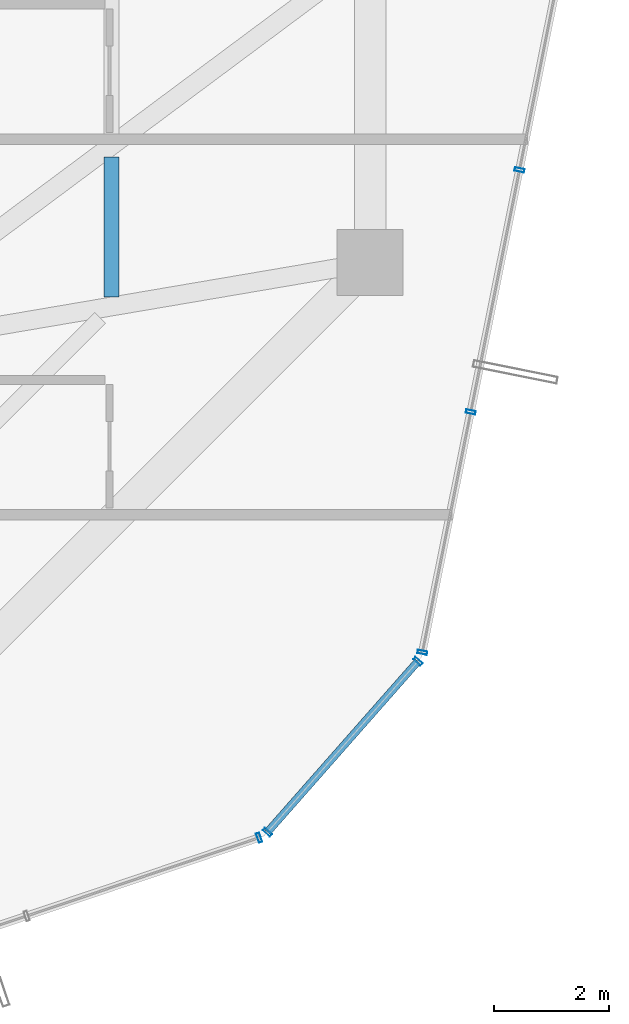
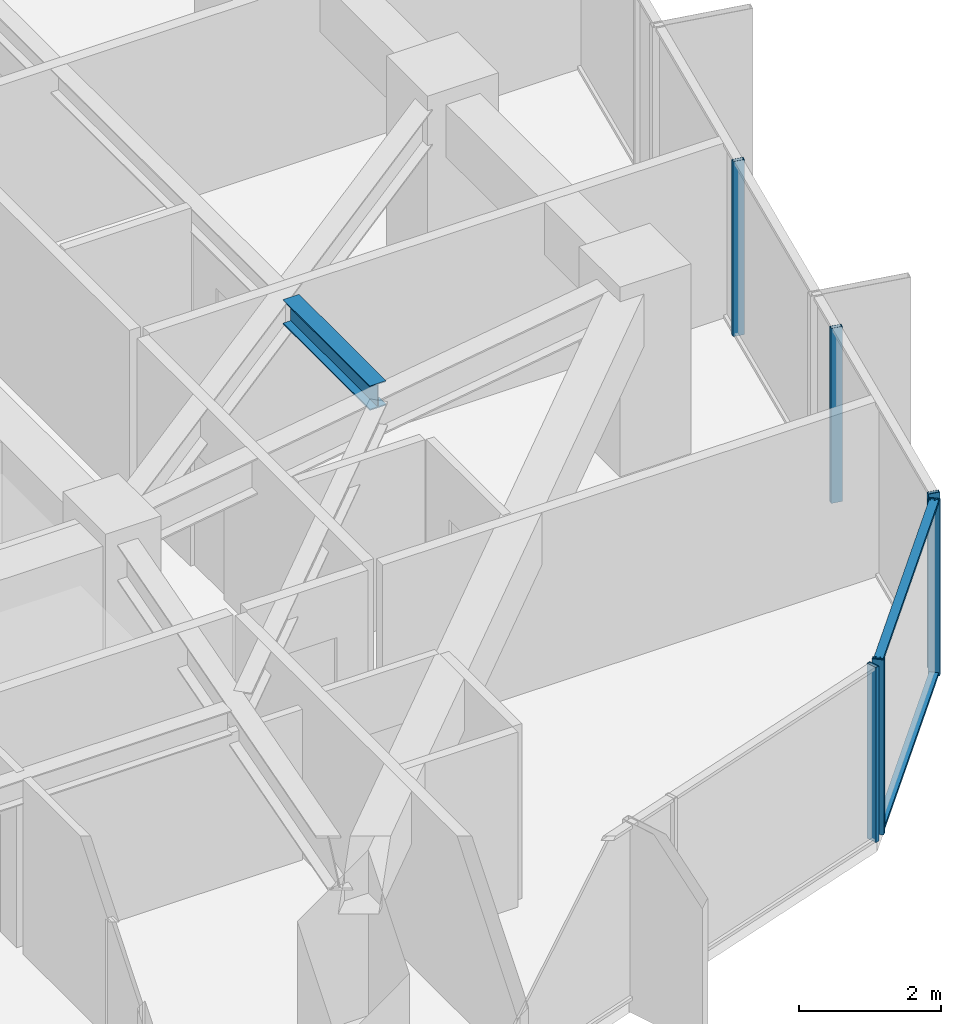
# One storey, part 17 of 32: 8 members, 1 beam, 3 elements without a shape of their own.
"""IFC4 building model written with IfcOpenShell, lengths in metres."""

from ifc_helpers import new_model, si_unit, direction, frame, origin, origin_2d, place, context, subcontext, project, spatial, hollow_rectangle, i_section, extrude, source, transform, mapped, material, layer, layer_set, material_profile, profile_set, type_object, element, aggregate, save


model = new_model("IFC4")

# Units and contexts
model_context = context("Model", 3, precision=1e-05, world=origin(), true_north=direction((0.0, 1.0)))
body_context = subcontext(model_context, "Body", "Model", "MODEL_VIEW")
ifc_project = project(units=[si_unit("LENGTHUNIT", "METRE"), si_unit("AREAUNIT", "SQUARE_METRE"), si_unit("VOLUMEUNIT", "CUBIC_METRE"), si_unit("PLANEANGLEUNIT", "RADIAN"), si_unit("MASSUNIT", "GRAM", prefix="KILO")], contexts=[model_context])

# Site, building, storey
site_placement = place(None, origin())
site = spatial("IfcSite", under=ifc_project, at=site_placement, CompositionType="ELEMENT")
building_placement = place(site_placement, origin())
building = spatial("IfcBuilding", under=site, at=building_placement, Name="Veraguas Prism Commons", CompositionType="ELEMENT")
storey_placement = place(building_placement, frame((0.0, 0.0, 89.449951171875)))
storey = spatial("IfcBuildingStorey", under=building, at=storey_placement, Name="L24", CompositionType="ELEMENT", Elevation=89.449951171875)

# Beam
ifc_material_1 = material(Name="Steel ASTM A992 Grade 50", Category="steel")
ifc_material_profile_1 = material_profile(ifc_material_1, i_section(OverallWidth=0.260986328125, OverallDepth=0.419921875, WebThickness=0.01171875, FlangeThickness=0.019287109375, at=origin_2d()), Name="W410X114")
ifc_profile_set_1 = profile_set([ifc_material_profile_1], Name="Steel ASTM A992 Grade 50")
beam_type = type_object("IfcBeamType", Name="Lower Floor Joist W410x114", PredefinedType="JOIST", material=ifc_profile_set_1)
beam_placement = place(storey_placement, frame((35.68798828125, 17.996337890625, 2.7900390625), z_axis=(0.0, 1.0, 0.0), x_axis=(-1.0, 0.0, 0.0)))
element("IfcBeam", 1, at=beam_placement, inside=storey, type_object=beam_type, Name="Composite Floor Joist L24-JS01", PredefinedType="JOIST", context=body_context, shape_type="SweptSolid", body=[
    extrude(i_section(OverallWidth=0.260986328125, OverallDepth=0.419921875, WebThickness=0.01171875, FlangeThickness=0.019287109375, at=origin_2d()), origin(), (0.0, 0.0, 1.0), 2.441650390625),
])

# Curtain wall, member
ifc_material_2 = material(Name="Anodised aluminium EN AW-6063 T6", Category="aluminium")
ifc_layer = layer(ifc_material_2, 0.169921875, Name="Unitised Flush Curtain Wall Zone 2", Category="aluminium")
ifc_layer_set = layer_set([ifc_layer], Name="Anodised aluminium EN AW-6063 T6")
curtain_wall_type = type_object("IfcCurtainWallType", Name="Unitised Flush Curtain Wall Zone 2", PredefinedType="NOTDEFINED", material=ifc_layer_set)
curtain_wall_1_placement = place(storey_placement, origin())
curtain_wall_1 = element("IfcCurtainWall", 2, at=curtain_wall_1_placement, inside=storey, type_object=curtain_wall_type, Name="Tower Facade Curtain Wall L24-F5", PredefinedType="NOTDEFINED")
ifc_material_profile_2 = material_profile(ifc_material_2, hollow_rectangle(XDim=0.06005859375, YDim=0.169921875, WallThickness=0.00390625, at=origin_2d()), Name="AL60X170X4")
ifc_profile_set_2 = profile_set([ifc_material_profile_2], Name="Anodised aluminium EN AW-6063 T6")
member_type_1 = type_object("IfcMemberType", Name="Curtain Wall Mullion Lower AL 60x170x4", PredefinedType="MULLION", material=ifc_profile_set_2)
shared_shape_1 = source(origin(), body_context, "Body", "SweptSolid", [
    extrude(hollow_rectangle(XDim=0.06005859375, YDim=0.169921875, WallThickness=0.00390625, at=origin_2d()), origin(), (0.0, 0.0, 1.0), 3.0),
])
member_1_placement = place(storey_placement, frame((38.262451171875, 8.563232421875, 0.0), z_axis=(0.0, 0.0, 1.0), x_axis=(0.94765924351, 0.319283507543, 0.0)))
member_1 = element("IfcMember", 3, at=member_1_placement, type_object=member_type_1, Name="CW-Z2 Mullion 5", PredefinedType="MULLION", context=body_context, shape_type="MappedRepresentation", body=[
    mapped(shared_shape_1, transform((0.0, 0.0, 0.0), scale=1.0)),
])
aggregate(curtain_wall_1, [member_1])

# Curtain wall, members
curtain_wall_2_placement = place(storey_placement, origin())
curtain_wall_2 = element("IfcCurtainWall", 4, at=curtain_wall_2_placement, inside=storey, type_object=curtain_wall_type, Name="Tower Facade Curtain Wall L24-F6", PredefinedType="NOTDEFINED")
member_2_placement = place(storey_placement, frame((41.11083984375, 11.796630859375, 0.0), z_axis=(0.0, 0.0, 1.0), x_axis=(0.197320282199, 0.980339077173, 0.0)))
member_2 = element("IfcMember", 5, at=member_2_placement, type_object=member_type_1, Name="CW-Z2 Mullion 1", PredefinedType="MULLION", context=body_context, shape_type="MappedRepresentation", body=[
    mapped(shared_shape_1, transform((0.0, 0.0, 0.0), scale=1.0)),
])
member_3_placement = place(storey_placement, frame((41.955078125, 15.9912109375, 0.0), z_axis=(0.0, 0.0, 1.0), x_axis=(0.197320282199, 0.980339077173, 0.0)))
member_3 = element("IfcMember", 6, at=member_3_placement, type_object=member_type_1, Name="CW-Z2 Mullion 2", PredefinedType="MULLION", context=body_context, shape_type="MappedRepresentation", body=[
    mapped(shared_shape_1, transform((0.0, 0.0, 0.0), scale=1.0)),
])
member_4_placement = place(storey_placement, frame((42.805419921875, 20.215087890625, 0.0), z_axis=(0.0, 0.0, 1.0), x_axis=(0.197320282199, 0.980339077173, 0.0)))
member_4 = element("IfcMember", 7, at=member_4_placement, type_object=member_type_1, Name="CW-Z2 Mullion 3", PredefinedType="MULLION", context=body_context, shape_type="MappedRepresentation", body=[
    mapped(shared_shape_1, transform((0.0, 0.0, 0.0), scale=1.0)),
])
aggregate(curtain_wall_2, [member_2, member_3, member_4])

curtain_wall_3_placement = place(storey_placement, origin())
curtain_wall_3 = element("IfcCurtainWall", 8, at=curtain_wall_3_placement, inside=storey, type_object=curtain_wall_type, Name="Chamfer Curtain Wall L24-C6", PredefinedType="NOTDEFINED")
member_5_placement = place(storey_placement, frame((38.4072265625, 8.65966796875, 0.0), z_axis=(0.0, 0.0, 1.0), x_axis=(0.66102641387, 0.750362632443, 0.0)))
member_5 = element("IfcMember", 9, at=member_5_placement, type_object=member_type_1, Name="CW-Z2 Mullion 1", PredefinedType="MULLION", context=body_context, shape_type="MappedRepresentation", body=[
    mapped(shared_shape_1, transform((0.0, 0.0, 0.0), scale=1.0)),
])
member_6_placement = place(storey_placement, frame((41.03369140625, 11.640869140625, 0.0), z_axis=(0.0, 0.0, 1.0), x_axis=(0.66102641387, 0.750362632443, 0.0)))
member_6 = element("IfcMember", 10, at=member_6_placement, type_object=member_type_1, Name="CW-Z2 Mullion 2", PredefinedType="MULLION", context=body_context, shape_type="MappedRepresentation", body=[
    mapped(shared_shape_1, transform((0.0, 0.0, 0.0), scale=1.0)),
])
ifc_material_profile_3 = material_profile(ifc_material_2, hollow_rectangle(XDim=0.054931640625, YDim=0.135009765625, WallThickness=0.0029296875, at=origin_2d()), Name="AL55X135X3")
ifc_profile_set_3 = profile_set([ifc_material_profile_3], Name="Anodised aluminium EN AW-6063 T6")
member_type_2 = type_object("IfcMemberType", Name="Curtain Wall Transom Standard AL 55x135x3", PredefinedType="USERDEFINED", material=ifc_profile_set_3)
shared_shape_2 = source(origin(), body_context, "Body", "SweptSolid", [
    extrude(hollow_rectangle(XDim=0.054931640625, YDim=0.135009765625, WallThickness=0.0029296875, at=origin_2d()), origin(), (0.0, 0.0, 1.0), 3.97314453125),
])
member_7_placement = place(storey_placement, frame((38.4072265625, 8.65966796875, 0.027587890625), z_axis=(0.661054431437, 0.750337949645, 0.0), x_axis=(0.0, 0.0, 1.0)))
member_7 = element("IfcMember", 11, at=member_7_placement, type_object=member_type_2, Name="CW-Z2 Transom 1", ObjectType="TRANSOM", PredefinedType="USERDEFINED", context=body_context, shape_type="MappedRepresentation", body=[
    mapped(shared_shape_2, transform((0.0, 0.0, 0.0), scale=1.0)),
])
member_8_placement = place(storey_placement, frame((38.4072265625, 8.65966796875, 2.97265625), z_axis=(0.661054431437, 0.750337949645, 0.0), x_axis=(0.0, 0.0, 1.0)))
member_8 = element("IfcMember", 12, at=member_8_placement, type_object=member_type_2, Name="CW-Z2 Transom 2", ObjectType="TRANSOM", PredefinedType="USERDEFINED", context=body_context, shape_type="MappedRepresentation", body=[
    mapped(shared_shape_2, transform((0.0, 0.0, 0.0), scale=1.0)),
])
aggregate(curtain_wall_3, [member_5, member_6, member_7, member_8])

save(model, "model.ifc")
